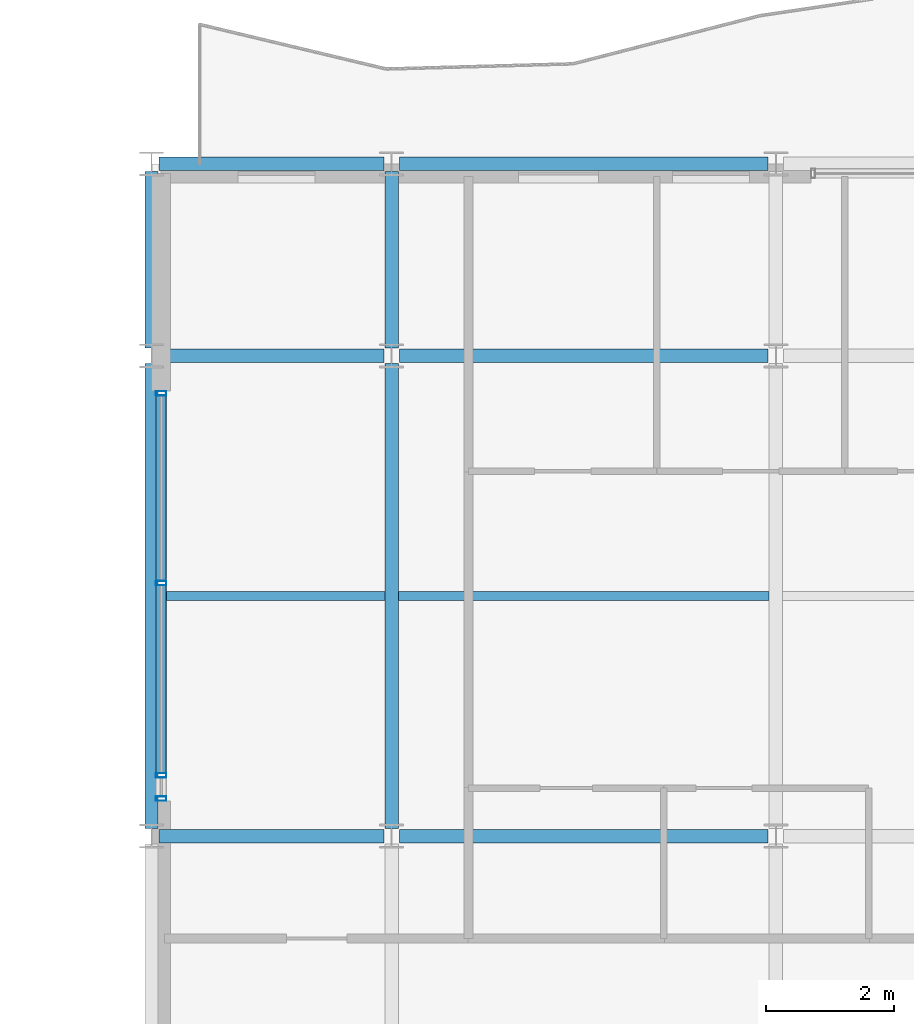
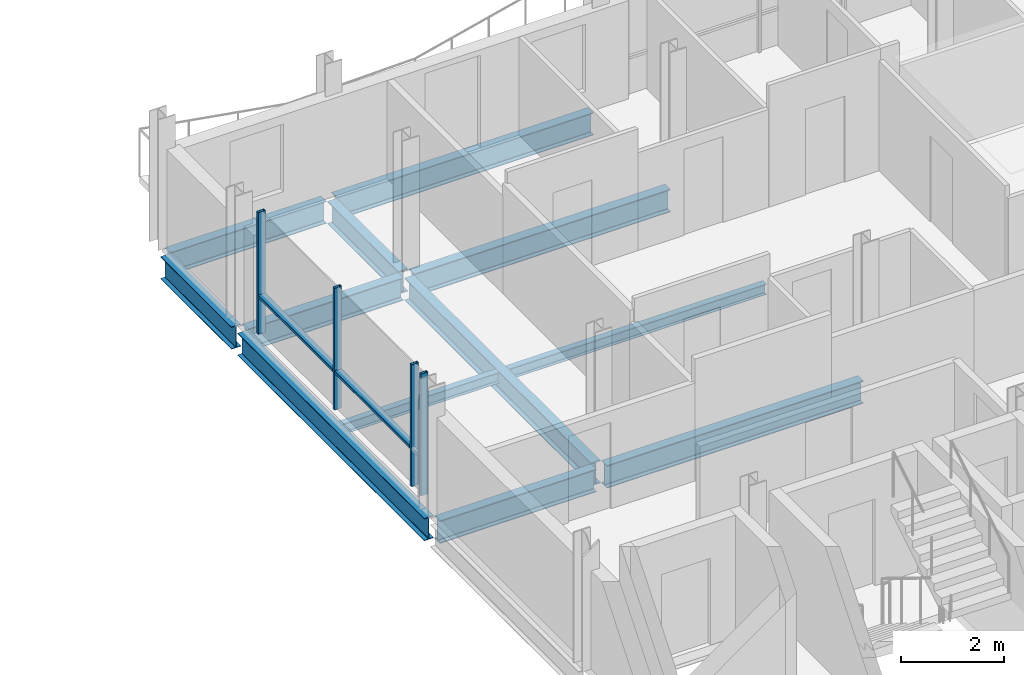
# One storey, part 12 of 29: 12 beams, 6 members, 1 element without a shape of its own.
"""IFC4 building model written with IfcOpenShell, lengths in metres."""

from ifc_helpers import new_model, si_unit, direction, frame, origin, origin_2d, place, context, subcontext, project, spatial, hollow_rectangle, i_section, extrude, material, layer, layer_set, material_profile, profile_set, type_object, element, aggregate, save


model = new_model("IFC4")

# Units and contexts
model_context = context("Model", 3, precision=1e-05, world=origin(), true_north=direction((0.0, 1.0)))
body_context = subcontext(model_context, "Body", "Model", "MODEL_VIEW")
ifc_project = project(units=[si_unit("LENGTHUNIT", "METRE"), si_unit("AREAUNIT", "SQUARE_METRE"), si_unit("VOLUMEUNIT", "CUBIC_METRE"), si_unit("PLANEANGLEUNIT", "RADIAN"), si_unit("MASSUNIT", "GRAM", prefix="KILO")], contexts=[model_context])

# Site, building, storey
site_placement = place(None, origin())
site = spatial("IfcSite", under=ifc_project, at=site_placement, CompositionType="ELEMENT")
building_placement = place(site_placement, origin())
building = spatial("IfcBuilding", under=site, at=building_placement, Name="Brevholm Reach", CompositionType="ELEMENT")
storey_placement = place(building_placement, frame((0.0, 0.0, 208.0)))
storey = spatial("IfcBuildingStorey", under=building, at=storey_placement, Name="L63", CompositionType="ELEMENT", Elevation=208.0)

# Beams
ifc_material_1 = material(Name="Structural Steel S355J2", Category="steel")
ifc_material_profile_1 = material_profile(ifc_material_1, i_section(OverallWidth=0.14599609375, OverallDepth=0.25146484375, WebThickness=0.006103515625, FlangeThickness=0.008544921875, FilletRadius=0.007568359375, at=origin_2d()), Name="UKB 254x146x31")
ifc_profile_set_1 = profile_set([ifc_material_profile_1], Name="Structural Steel S355J2")
beam_type_1 = type_object("IfcBeamType", Name="BM-B254", PredefinedType="BEAM", material=ifc_profile_set_1)
beam_1_placement = place(storey_placement, frame((38.354736328125, 19.75, -0.335693359375), z_axis=(1.0, 0.0, 0.0), x_axis=(0.0, 1.0, 0.0)))
element("IfcBeam", 1, at=beam_1_placement, inside=storey, type_object=beam_type_1, Name="L63 Composite Secondary Floor Beam", PredefinedType="BEAM", context=body_context, shape_type="SweptSolid", body=[
    extrude(i_section(OverallWidth=0.14599609375, OverallDepth=0.25146484375, WebThickness=0.006103515625, FlangeThickness=0.008544921875, FilletRadius=0.007568359375, at=origin_2d()), origin(), (0.0, 0.0, 1.0), 3.539794921875),
])
beam_2_placement = place(storey_placement, frame((42.10546875, 19.75, -0.335693359375), z_axis=(1.0, 0.0, 0.0), x_axis=(0.0, 1.0, 0.0)))
element("IfcBeam", 2, at=beam_2_placement, inside=storey, type_object=beam_type_1, Name="L63 Composite Secondary Floor Beam", PredefinedType="BEAM", context=body_context, shape_type="SweptSolid", body=[
    extrude(i_section(OverallWidth=0.14599609375, OverallDepth=0.25146484375, WebThickness=0.006103515625, FlangeThickness=0.008544921875, FilletRadius=0.007568359375, at=origin_2d()), origin(), (0.0, 0.0, 1.0), 5.7890625),
])
ifc_material_2 = material(Name="Structural Steel S355J2", Category="steel")
ifc_material_profile_2 = material_profile(ifc_material_2, i_section(OverallWidth=0.209228515625, OverallDepth=0.533203125, WebThickness=0.010009765625, FlangeThickness=0.015625, FilletRadius=0.0126953125, at=origin_2d()), Name="UKB 533x210x92")
ifc_profile_set_2 = profile_set([ifc_material_profile_2], Name="Structural Steel S355J2")
beam_type_2 = type_object("IfcBeamType", Name="BM-SP533", PredefinedType="SPANDREL", material=ifc_profile_set_2)
beam_3_placement = place(storey_placement, frame((38.3701171875, 26.5, -0.4765625), z_axis=(1.0, 0.0, 0.0), x_axis=(0.0, 1.0, 0.0)))
element("IfcBeam", 3, at=beam_3_placement, inside=storey, type_object=beam_type_2, Name="L63 SP-02 Framing Beam", PredefinedType="SPANDREL", context=body_context, shape_type="SweptSolid", body=[
    extrude(i_section(OverallWidth=0.209228515625, OverallDepth=0.533203125, WebThickness=0.010009765625, FlangeThickness=0.015625, FilletRadius=0.0126953125, at=origin_2d()), origin(), (0.0, 0.0, 1.0), 3.509765625),
])
beam_4_placement = place(storey_placement, frame((42.1201171875, 26.5, -0.4765625), z_axis=(1.0, 0.0, 0.0), x_axis=(0.0, 1.0, 0.0)))
element("IfcBeam", 4, at=beam_4_placement, inside=storey, type_object=beam_type_2, Name="L63 SP-02 Framing Beam", PredefinedType="SPANDREL", context=body_context, shape_type="SweptSolid", body=[
    extrude(i_section(OverallWidth=0.209228515625, OverallDepth=0.533203125, WebThickness=0.010009765625, FlangeThickness=0.015625, FilletRadius=0.0126953125, at=origin_2d()), origin(), (0.0, 0.0, 1.0), 5.759765625),
])
beam_5_placement = place(storey_placement, frame((38.25, 16.1201171875, -0.4765625), z_axis=(0.0, 1.0, 0.0), x_axis=(-1.0, 0.0, 0.0)))
element("IfcBeam", 5, at=beam_5_placement, inside=storey, type_object=beam_type_2, Name="L63 SP-02 Framing Beam", PredefinedType="SPANDREL", context=body_context, shape_type="SweptSolid", body=[
    extrude(i_section(OverallWidth=0.209228515625, OverallDepth=0.533203125, WebThickness=0.010009765625, FlangeThickness=0.015625, FilletRadius=0.0126953125, at=origin_2d()), origin(), (0.0, 0.0, 1.0), 7.259765625),
])
beam_6_placement = place(storey_placement, frame((38.25, 23.6201171875, -0.4765625), z_axis=(0.0, 1.0, 0.0), x_axis=(-1.0, 0.0, 0.0)))
element("IfcBeam", 6, at=beam_6_placement, inside=storey, type_object=beam_type_2, Name="L63 SP-02 Framing Beam", PredefinedType="SPANDREL", context=body_context, shape_type="SweptSolid", body=[
    extrude(i_section(OverallWidth=0.209228515625, OverallDepth=0.533203125, WebThickness=0.010009765625, FlangeThickness=0.015625, FilletRadius=0.0126953125, at=origin_2d()), origin(), (0.0, 0.0, 1.0), 2.759765625),
])
ifc_material_3 = material(Name="Structural Steel S355J2", Category="steel")
ifc_material_profile_3 = material_profile(ifc_material_3, i_section(OverallWidth=0.210693359375, OverallDepth=0.53955078125, WebThickness=0.01171875, FlangeThickness=0.018798828125, FilletRadius=0.0126953125, at=origin_2d()), Name="UKB 533x210x109")
ifc_profile_set_3 = profile_set([ifc_material_profile_3], Name="Structural Steel S355J2")
beam_type_3 = type_object("IfcBeamType", Name="BM-SP539", PredefinedType="SPANDREL", material=ifc_profile_set_3)
beam_7_placement = place(storey_placement, frame((38.3701171875, 16.0, -0.479736328125), z_axis=(1.0, 0.0, 0.0), x_axis=(0.0, 1.0, 0.0)))
element("IfcBeam", 7, at=beam_7_placement, inside=storey, type_object=beam_type_3, Name="L63 SP-01B Framing Beam", PredefinedType="SPANDREL", context=body_context, shape_type="SweptSolid", body=[
    extrude(i_section(OverallWidth=0.210693359375, OverallDepth=0.53955078125, WebThickness=0.01171875, FlangeThickness=0.018798828125, FilletRadius=0.0126953125, at=origin_2d()), origin(), (0.0, 0.0, 1.0), 3.509765625),
])
beam_8_placement = place(storey_placement, frame((42.1201171875, 16.0, -0.479736328125), z_axis=(1.0, 0.0, 0.0), x_axis=(0.0, 1.0, 0.0)))
element("IfcBeam", 8, at=beam_8_placement, inside=storey, type_object=beam_type_3, Name="L63 SP-01B Framing Beam", PredefinedType="SPANDREL", context=body_context, shape_type="SweptSolid", body=[
    extrude(i_section(OverallWidth=0.210693359375, OverallDepth=0.53955078125, WebThickness=0.01171875, FlangeThickness=0.018798828125, FilletRadius=0.0126953125, at=origin_2d()), origin(), (0.0, 0.0, 1.0), 5.759765625),
])
beam_9_placement = place(storey_placement, frame((38.3701171875, 23.5, -0.479736328125), z_axis=(1.0, 0.0, 0.0), x_axis=(0.0, 1.0, 0.0)))
element("IfcBeam", 9, at=beam_9_placement, inside=storey, type_object=beam_type_3, Name="L63 SP-01B Framing Beam", PredefinedType="SPANDREL", context=body_context, shape_type="SweptSolid", body=[
    extrude(i_section(OverallWidth=0.210693359375, OverallDepth=0.53955078125, WebThickness=0.01171875, FlangeThickness=0.018798828125, FilletRadius=0.0126953125, at=origin_2d()), origin(), (0.0, 0.0, 1.0), 3.509765625),
])
beam_10_placement = place(storey_placement, frame((42.1201171875, 23.5, -0.479736328125), z_axis=(1.0, 0.0, 0.0), x_axis=(0.0, 1.0, 0.0)))
element("IfcBeam", 10, at=beam_10_placement, inside=storey, type_object=beam_type_3, Name="L63 SP-01B Framing Beam", PredefinedType="SPANDREL", context=body_context, shape_type="SweptSolid", body=[
    extrude(i_section(OverallWidth=0.210693359375, OverallDepth=0.53955078125, WebThickness=0.01171875, FlangeThickness=0.018798828125, FilletRadius=0.0126953125, at=origin_2d()), origin(), (0.0, 0.0, 1.0), 5.759765625),
])
beam_11_placement = place(storey_placement, frame((42.0, 16.1201171875, -0.479736328125), z_axis=(0.0, 1.0, 0.0), x_axis=(-1.0, 0.0, 0.0)))
element("IfcBeam", 11, at=beam_11_placement, inside=storey, type_object=beam_type_3, Name="L63 SP-01B Framing Beam", PredefinedType="SPANDREL", context=body_context, shape_type="SweptSolid", body=[
    extrude(i_section(OverallWidth=0.210693359375, OverallDepth=0.53955078125, WebThickness=0.01171875, FlangeThickness=0.018798828125, FilletRadius=0.0126953125, at=origin_2d()), origin(), (0.0, 0.0, 1.0), 7.259765625),
])
beam_12_placement = place(storey_placement, frame((42.0, 23.6201171875, -0.479736328125), z_axis=(0.0, 1.0, 0.0), x_axis=(-1.0, 0.0, 0.0)))
element("IfcBeam", 12, at=beam_12_placement, inside=storey, type_object=beam_type_3, Name="L63 SP-01B Framing Beam", PredefinedType="SPANDREL", context=body_context, shape_type="SweptSolid", body=[
    extrude(i_section(OverallWidth=0.210693359375, OverallDepth=0.53955078125, WebThickness=0.01171875, FlangeThickness=0.018798828125, FilletRadius=0.0126953125, at=origin_2d()), origin(), (0.0, 0.0, 1.0), 2.759765625),
])

# Curtain wall, members
ifc_material_4 = material(Name="Dark Anodised Aluminium 6063-T6 and Solar-Control Glass", Category="aluminium")
ifc_layer = layer(ifc_material_4, 0.1650390625)
ifc_layer_set = layer_set([ifc_layer], Name="Dark Anodised Aluminium 6063-T6 and Solar-Control Glass")
curtain_wall_type = type_object("IfcCurtainWallType", Name="CW-04", PredefinedType="NOTDEFINED", material=ifc_layer_set)
curtain_wall_placement = place(storey_placement, origin())
curtain_wall = element("IfcCurtainWall", 13, at=curtain_wall_placement, inside=storey, type_object=curtain_wall_type, Name="L63 Curtain Wall CW-04", PredefinedType="NOTDEFINED")
ifc_material_5 = material(Name="Dark Anodised Aluminium 6063-T6", Category="aluminium")
ifc_material_profile_4 = material_profile(ifc_material_5, hollow_rectangle(XDim=0.070068359375, YDim=0.1650390625, WallThickness=0.0048828125, InnerFilletRadius=0.0048828125, OuterFilletRadius=0.010009765625, at=origin_2d()), Name="RHS 165x70x5")
ifc_profile_set_4 = profile_set([ifc_material_profile_4], Name="Dark Anodised Aluminium 6063-T6")
member_type_1 = type_object("IfcMemberType", Name="CWM-165", PredefinedType="MULLION", material=ifc_profile_set_4)
member_1_placement = place(storey_placement, frame((38.39990234375, 22.9150390625, 0.0), z_axis=(0.0, 0.0, 1.0), x_axis=(0.0, -1.0, 0.0)))
member_1 = element("IfcMember", 14, at=member_1_placement, type_object=member_type_1, Name="CM-165 Mullion 1", PredefinedType="MULLION", context=body_context, shape_type="SweptSolid", body=[
    extrude(hollow_rectangle(XDim=0.070068359375, YDim=0.1650390625, WallThickness=0.0048828125, InnerFilletRadius=0.0048828125, OuterFilletRadius=0.010009765625, at=origin_2d()), origin(), (0.0, 0.0, 1.0), 2.889892578125),
])
member_2_placement = place(storey_placement, frame((38.39990234375, 19.949951171875, 0.0), z_axis=(0.0, 0.0, 1.0), x_axis=(0.0, -1.0, 0.0)))
member_2 = element("IfcMember", 15, at=member_2_placement, type_object=member_type_1, Name="CM-165 Mullion 2", PredefinedType="MULLION", context=body_context, shape_type="SweptSolid", body=[
    extrude(hollow_rectangle(XDim=0.070068359375, YDim=0.1650390625, WallThickness=0.0048828125, InnerFilletRadius=0.0048828125, OuterFilletRadius=0.010009765625, at=origin_2d()), origin(), (0.0, 0.0, 1.0), 2.889892578125),
])
member_3_placement = place(storey_placement, frame((38.39990234375, 16.949951171875, 0.0), z_axis=(0.0, 0.0, 1.0), x_axis=(0.0, -1.0, 0.0)))
member_3 = element("IfcMember", 16, at=member_3_placement, type_object=member_type_1, Name="CM-165 Mullion 3", PredefinedType="MULLION", context=body_context, shape_type="SweptSolid", body=[
    extrude(hollow_rectangle(XDim=0.070068359375, YDim=0.1650390625, WallThickness=0.0048828125, InnerFilletRadius=0.0048828125, OuterFilletRadius=0.010009765625, at=origin_2d()), origin(), (0.0, 0.0, 1.0), 2.889892578125),
])
member_4_placement = place(storey_placement, frame((38.39990234375, 16.5849609375, 0.0), z_axis=(0.0, 0.0, 1.0), x_axis=(0.0, -1.0, 0.0)))
member_4 = element("IfcMember", 17, at=member_4_placement, type_object=member_type_1, Name="CM-165 Mullion 4", PredefinedType="MULLION", context=body_context, shape_type="SweptSolid", body=[
    extrude(hollow_rectangle(XDim=0.070068359375, YDim=0.1650390625, WallThickness=0.0048828125, InnerFilletRadius=0.0048828125, OuterFilletRadius=0.010009765625, at=origin_2d()), origin(), (0.0, 0.0, 1.0), 2.889892578125),
])
ifc_material_6 = material(Name="Dark Anodised Aluminium 6063-T6", Category="aluminium")
ifc_material_profile_5 = material_profile(ifc_material_6, hollow_rectangle(XDim=0.070068359375, YDim=0.1650390625, WallThickness=0.0048828125, InnerFilletRadius=0.0048828125, OuterFilletRadius=0.010009765625, at=origin_2d()), Name="RHS 165x70x5")
ifc_profile_set_5 = profile_set([ifc_material_profile_5], Name="Dark Anodised Aluminium 6063-T6")
member_type_2 = type_object("IfcMemberType", Name="CWT-165", PredefinedType="NOTDEFINED", material=ifc_profile_set_5)
member_5_placement = place(storey_placement, frame((38.39990234375, 22.8798828125, 0.89990234375), z_axis=(0.0, -1.0, 0.0), x_axis=(0.0, 0.0, 1.0)))
member_5 = element("IfcMember", 18, at=member_5_placement, type_object=member_type_2, Name="CT-165 Transom 1.1", ObjectType="TRANSOM", PredefinedType="USERDEFINED", context=body_context, shape_type="SweptSolid", body=[
    extrude(hollow_rectangle(XDim=0.070068359375, YDim=0.1650390625, WallThickness=0.0048828125, InnerFilletRadius=0.0048828125, OuterFilletRadius=0.010009765625, at=origin_2d()), origin(), (0.0, 0.0, 1.0), 2.894775390625),
])
member_6_placement = place(storey_placement, frame((38.39990234375, 19.9150390625, 0.89990234375), z_axis=(0.0, -1.0, 0.0), x_axis=(0.0, 0.0, 1.0)))
member_6 = element("IfcMember", 19, at=member_6_placement, type_object=member_type_2, Name="CT-165 Transom 2.1", ObjectType="TRANSOM", PredefinedType="USERDEFINED", context=body_context, shape_type="SweptSolid", body=[
    extrude(hollow_rectangle(XDim=0.070068359375, YDim=0.1650390625, WallThickness=0.0048828125, InnerFilletRadius=0.0048828125, OuterFilletRadius=0.010009765625, at=origin_2d()), origin(), (0.0, 0.0, 1.0), 2.929931640625),
])
aggregate(curtain_wall, [member_1, member_2, member_3, member_4, member_5, member_6])

save(model, "model.ifc")
